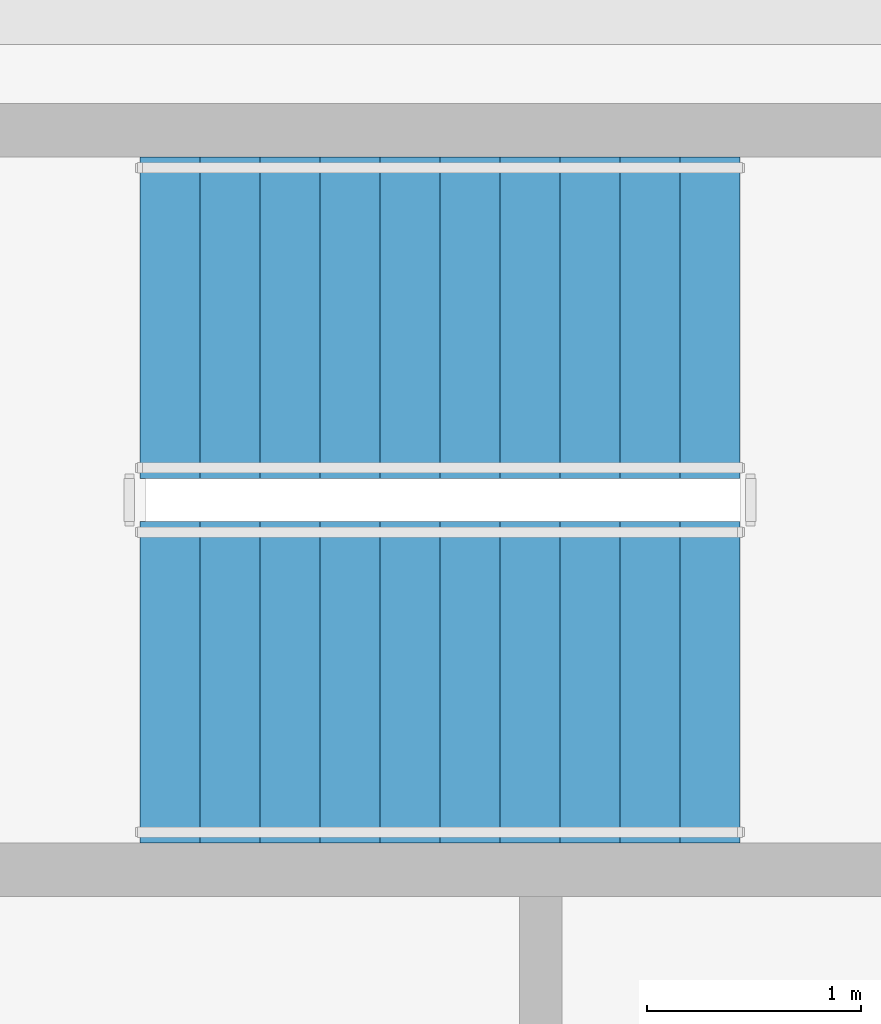
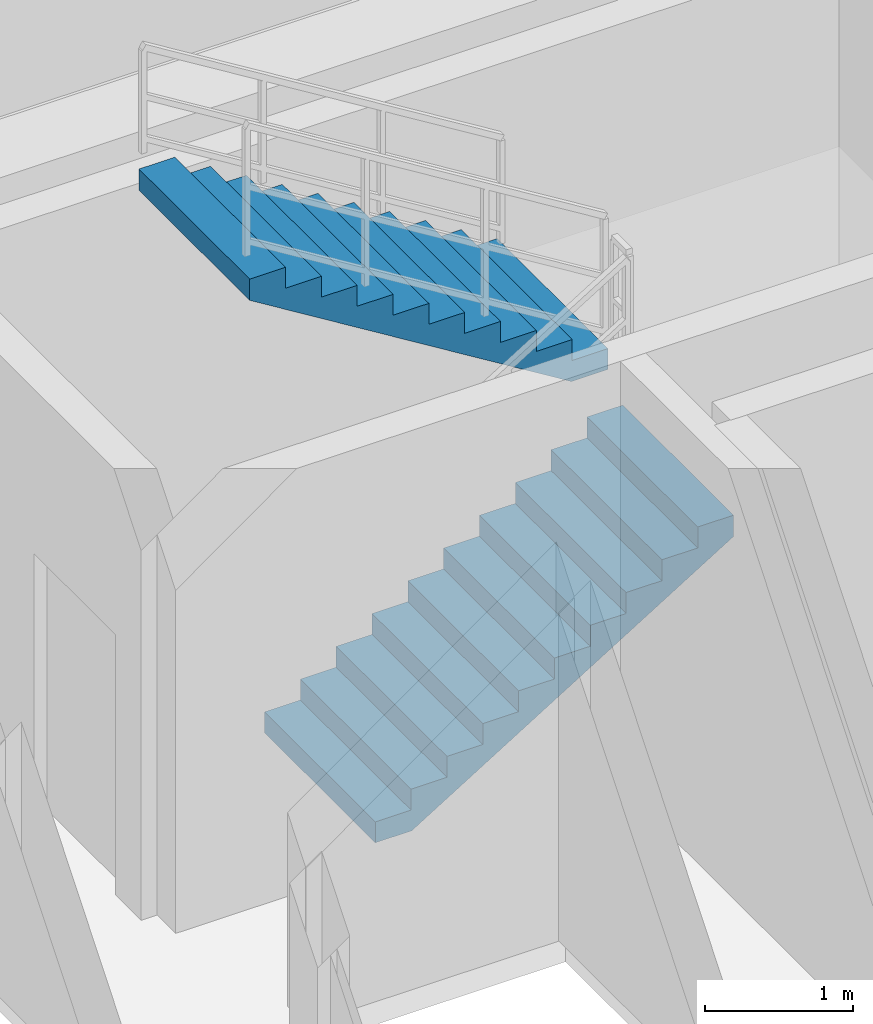
# One storey, part 6 of 9: 2 stair flights, 1 element without a shape of its own.
"""IFC4 building model written with IfcOpenShell, lengths in metres."""

from ifc_helpers import new_model, si_unit, direction, frame, origin, place, context, subcontext, project, spatial, polyline, outline, extrude, material, type_object, element, aggregate, save


model = new_model("IFC4")

# Units and contexts
model_context = context("Model", 3, precision=1e-05, world=origin(), true_north=direction((0.0, 1.0)))
body_context = subcontext(model_context, "Body", "Model", "MODEL_VIEW")
ifc_project = project(units=[si_unit("LENGTHUNIT", "METRE"), si_unit("AREAUNIT", "SQUARE_METRE"), si_unit("VOLUMEUNIT", "CUBIC_METRE"), si_unit("PLANEANGLEUNIT", "RADIAN"), si_unit("MASSUNIT", "GRAM", prefix="KILO")], contexts=[model_context])

# Site, building, storey
site_placement = place(None, origin())
site = spatial("IfcSite", under=ifc_project, at=site_placement, CompositionType="ELEMENT")
building_placement = place(site_placement, origin())
building = spatial("IfcBuilding", under=site, at=building_placement, Name="Zulverin Broadcast Headquarters", CompositionType="ELEMENT")
storey_placement = place(building_placement, frame((0.0, 0.0, 259.199951171875)))
storey = spatial("IfcBuildingStorey", under=building, at=storey_placement, Name="L66", CompositionType="ELEMENT", Elevation=259.199951171875)

# Stair, stair flights
ifc_material = material(Name="Concrete C40/50", Category="concrete")
stair_type = type_object("IfcStairType", Name="ST-CORE-1500", PredefinedType="HALF_TURN_STAIR", material=ifc_material)
stair_placement = place(storey_placement, origin())
stair = element("IfcStair", 1, at=stair_placement, inside=storey, type_object=stair_type, Name="L66 Core Exit Stair ST-1", PredefinedType="HALF_TURN_STAIR")
stair_flight_type = type_object("IfcStairFlightType", Name="SF-CORE-1500", PredefinedType="STRAIGHT", material=ifc_material)
stair_flight_1_placement = place(storey_placement, frame((40.1298828125, 29.800048828125, 0.0), z_axis=(0.0, 0.0, 1.0), x_axis=(1.0, 0.0, 0.0)))
stair_flight_1 = element("IfcStairFlight", 2, at=stair_flight_1_placement, type_object=stair_flight_type, Name="ST-1 flight 1", NumberOfRisers=11, NumberOfTreads=10, PredefinedType="STRAIGHT", RiserHeight=0.172727273, TreadLength=0.28, context=body_context, shape_type="SweptSolid", body=[
    extrude(outline(polyline([(0.0, 0.0), (0.0, 0.172607421875), (0.280029296875, 0.172607421875), (0.280029296875, 0.345458984375), (0.56005859375, 0.345458984375), (0.56005859375, 0.51806640625), (0.840087890625, 0.51806640625), (0.840087890625, 0.69091796875), (1.1201171875, 0.69091796875), (1.1201171875, 0.863525390625), (1.39990234375, 0.863525390625), (1.39990234375, 1.036376953125), (1.679931640625, 1.036376953125), (1.679931640625, 1.208984375), (1.9599609375, 1.208984375), (1.9599609375, 1.3818359375), (2.239990234375, 1.3818359375), (2.239990234375, 1.554443359375), (2.52001953125, 1.554443359375), (2.52001953125, 1.727294921875), (2.800048828125, 1.727294921875), (2.800048828125, 1.89990234375), (2.800048828125, 1.551025390625), (0.285400390625, 0.0), (0.0, 0.0)])), frame((0.0, 0.75, 0.0), z_axis=(0.0, -1.0, 0.0), x_axis=(1.0, 0.0, 0.0)), (0.0, 0.0, 1.0), 1.5),
])
stair_flight_2_placement = place(storey_placement, frame((42.929931640625, 31.5, 1.900146484375), z_axis=(0.0, 0.0, 1.0), x_axis=(-1.0, 0.0, 0.0)))
stair_flight_2 = element("IfcStairFlight", 3, at=stair_flight_2_placement, type_object=stair_flight_type, Name="ST-1 flight 2", NumberOfRisers=11, NumberOfTreads=10, PredefinedType="STRAIGHT", RiserHeight=0.172727273, TreadLength=0.28, context=body_context, shape_type="SweptSolid", body=[
    extrude(outline(polyline([(0.0, 0.0), (0.0, 0.172607421875), (0.280029296875, 0.172607421875), (0.280029296875, 0.345458984375), (0.56005859375, 0.345458984375), (0.56005859375, 0.51806640625), (0.840087890625, 0.51806640625), (0.840087890625, 0.69091796875), (1.1201171875, 0.69091796875), (1.1201171875, 0.863525390625), (1.39990234375, 0.863525390625), (1.39990234375, 1.036376953125), (1.679931640625, 1.036376953125), (1.679931640625, 1.208984375), (1.9599609375, 1.208984375), (1.9599609375, 1.3818359375), (2.239990234375, 1.3818359375), (2.239990234375, 1.554443359375), (2.52001953125, 1.554443359375), (2.52001953125, 1.727294921875), (2.800048828125, 1.727294921875), (2.800048828125, 1.89990234375), (2.800048828125, 1.551025390625), (0.285400390625, 0.0), (0.0, 0.0)])), frame((0.0, 0.75, 0.0), z_axis=(0.0, -1.0, 0.0), x_axis=(1.0, 0.0, 0.0)), (0.0, 0.0, 1.0), 1.5),
])
aggregate(stair, [stair_flight_1, stair_flight_2])

save(model, "model.ifc")
